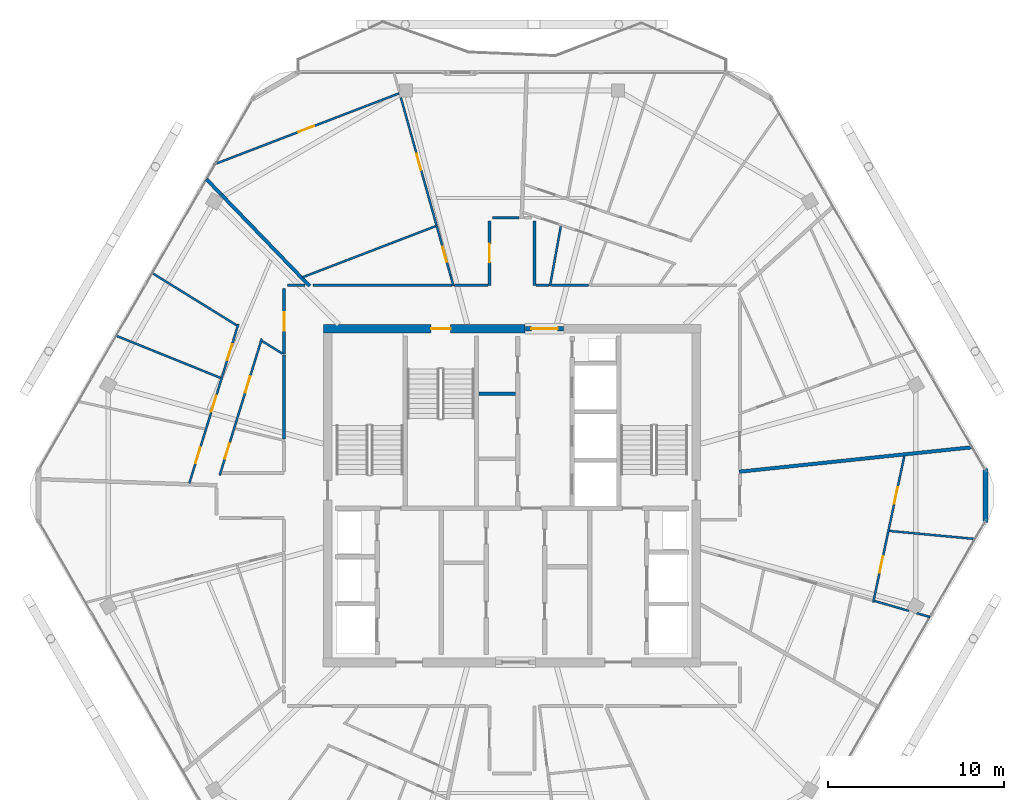
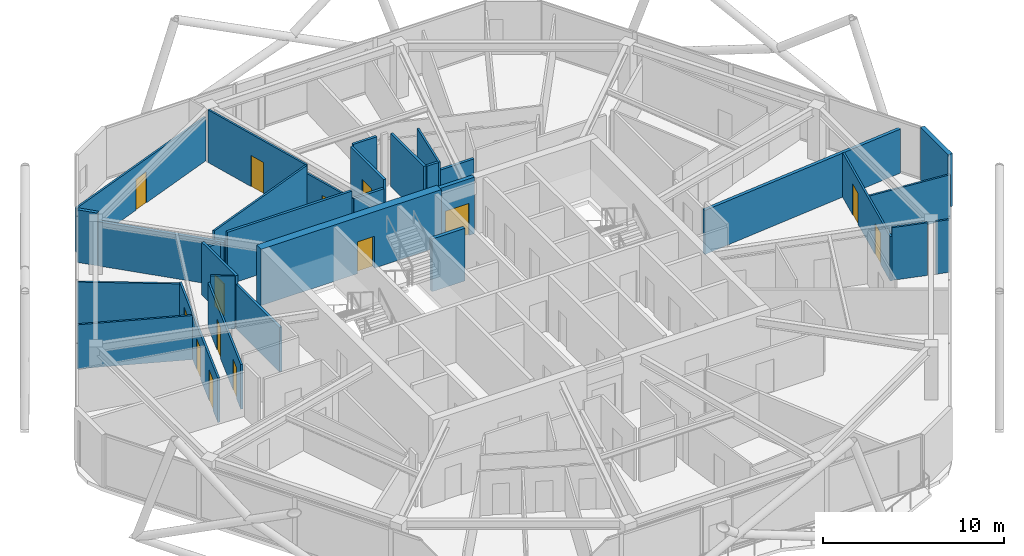
# One storey, part 19 of 23: 32 walls, 14 doors, 14 openings.
"""IFC4 building model written with IfcOpenShell, lengths in metres."""

import ifcopenshell
import ifcopenshell.guid

model = None  # the IFC model being written
_history = None  # IfcOwnerHistory: only IFC2X3 demands one
_inside = {}  # id of a spatial element -> (the spatial element, [elements in it])
_under = {}  # id of a project, library or spatial element -> (it, [spatial elements below it])
_declared = {}  # id of a project -> (the project, [libraries it declares])
_typed = {}  # id of a type object -> (the type object, [elements of that type])
_made_of = {}  # id of a material, layer set ... -> (it, [elements and type objects made of it])


def new_model(schema):
    """Start an empty IFC model of exactly this schema.

    Asked for "IFC4X3", IfcOpenShell would pick the latest addendum, in which some entities
    have other attributes; the version numbers below select the first issue.
    IFC2X3 requires an IfcOwnerHistory on every rooted entity: one is made here for all.
    """
    global model, _history
    if schema == "IFC4X3":
        model = ifcopenshell.file(schema_version=(4, 3, 0, 0))
    else:
        model = ifcopenshell.file(schema=schema)
    _inside.clear()
    _under.clear()
    _declared.clear()
    _typed.clear()
    _made_of.clear()
    _history = None
    if model.schema == "IFC2X3":
        org = make("IfcOrganization", Name="unknown")
        user = make(
            "IfcPersonAndOrganization",
            ThePerson=make("IfcPerson", FamilyName="unknown"),
            TheOrganization=org,
        )
        app = make(
            "IfcApplication",
            ApplicationDeveloper=org,
            Version="unknown",
            ApplicationFullName="unknown",
            ApplicationIdentifier="unknown",
        )
        _history = make(
            "IfcOwnerHistory",
            OwningUser=user,
            OwningApplication=app,
            ChangeAction="ADDED",
            CreationDate=0,
        )
    return model


def make(cls, **values):
    """One entity of the class cls with the attributes given. An attribute that is None is left unset."""
    return model.create_entity(
        cls, **{name: value for name, value in values.items() if value is not None}
    )


def rooted(cls, **values):
    """An entity with a GlobalId (a new one), such as an element, a storey or a relation."""
    return make(cls, GlobalId=ifcopenshell.guid.new(), OwnerHistory=_history, **values)


def si_unit(unit_type, name, prefix=None):
    """IfcSIUnit, for example si_unit("LENGTHUNIT", "METRE", prefix="MILLI")."""
    return make("IfcSIUnit", UnitType=unit_type, Prefix=prefix, Name=name)


def assignment(units):
    """IfcUnitAssignment: the units of a project."""
    return None if units is None else make("IfcUnitAssignment", Units=units)


def point(xyz):
    """IfcCartesianPoint."""
    return None if xyz is None else make("IfcCartesianPoint", Coordinates=xyz)


def direction(xyz):
    """IfcDirection."""
    return None if xyz is None else make("IfcDirection", DirectionRatios=xyz)


def frame(location, z_axis=None, x_axis=None):
    """IfcAxis2Placement3D, a coordinate frame: its origin and axes. An axis left out is left unset."""
    return make(
        "IfcAxis2Placement3D",
        Location=point(location),
        Axis=direction(z_axis),
        RefDirection=direction(x_axis),
    )


def frame_2d(location, x_axis=None):
    """IfcAxis2Placement2D, a coordinate frame in the plane: its origin and x axis."""
    return make(
        "IfcAxis2Placement2D", Location=point(location), RefDirection=direction(x_axis)
    )


def origin():
    """The frame at (0, 0, 0) with its axes left unset."""
    return frame((0.0, 0.0, 0.0))


def place(relative_to, where):
    """IfcLocalPlacement: puts the frame where relative to a parent placement (None: the world)."""
    return make(
        "IfcLocalPlacement", PlacementRelTo=relative_to, RelativePlacement=where
    )


def context(
    kind, dimensions, precision=None, world=None, true_north=None, identifier=None
):
    """IfcGeometricRepresentationContext, for example the 3D "Model" context."""
    return make(
        "IfcGeometricRepresentationContext",
        ContextIdentifier=identifier,
        ContextType=kind,
        CoordinateSpaceDimension=dimensions,
        Precision=precision,
        WorldCoordinateSystem=world,
        TrueNorth=true_north,
    )


def subcontext(parent, identifier, kind, view, scale=None):
    """IfcGeometricRepresentationSubContext, for example "Body" below "Model"."""
    return make(
        "IfcGeometricRepresentationSubContext",
        ContextIdentifier=identifier,
        ContextType=kind,
        ParentContext=parent,
        TargetScale=scale,
        TargetView=view,
    )


def project(units=None, contexts=None):
    """IfcProject with its units and contexts."""
    return rooted(
        "IfcProject",
        Name="project",
        RepresentationContexts=contexts,
        UnitsInContext=assignment(units),
    )


def spatial(cls, under=None, at=None, **own):
    """A site, building, storey or space (cls), placed at a placement, below another one or the project."""
    s = rooted(cls, ObjectPlacement=at, **own)
    if under is not None:
        _under.setdefault(under.id(), (under, []))[1].append(s)
    return s


def profile(cls, at=None, kind="AREA", **sizes):
    """A parametric profile (cls). Its sizes go by their IFC names, for example OverallWidth=200.0."""
    return make(cls, ProfileType=kind, Position=at, **sizes)


def rectangle(**sizes):
    """IfcRectangleProfileDef."""
    return profile("IfcRectangleProfileDef", **sizes)


def extrude(swept, where, along, depth):
    """IfcExtrudedAreaSolid: the profile swept, set in the frame where, extruded along a direction by depth."""
    return make(
        "IfcExtrudedAreaSolid",
        SweptArea=swept,
        Position=where,
        ExtrudedDirection=direction(along),
        Depth=depth,
    )


def shape(context_of_items, identifier, shape_type, items):
    """IfcShapeRepresentation: the items that make up one representation, for example the "Body"."""
    return make(
        "IfcShapeRepresentation",
        ContextOfItems=context_of_items,
        RepresentationIdentifier=identifier,
        RepresentationType=shape_type,
        Items=items,
    )


def material(Name=None, Category=None):
    """IfcMaterial."""
    return make("IfcMaterial", Name=Name, Category=Category)


def layer(
    of_material, thickness, ventilated=None, Name=None, Category=None, Priority=None
):
    """IfcMaterialLayer: one layer of a wall or slab, of a material (None: an air gap)."""
    return make(
        "IfcMaterialLayer",
        Material=of_material,
        LayerThickness=thickness,
        IsVentilated=ventilated,
        Name=Name,
        Category=Category,
        Priority=Priority,
    )


def layer_set(layers, Name=None):
    """IfcMaterialLayerSet."""
    return make("IfcMaterialLayerSet", MaterialLayers=layers, LayerSetName=Name)


def made_of(thing, what):
    """Note that an element or type object is made of a material, layer set ...; save() writes the relation."""
    if what is not None:
        _made_of.setdefault(what.id(), (what, []))[1].append(thing)
    return thing


def type_object(cls, material=None, **own):
    """A type object (cls), such as IfcWallType, which elements share."""
    return made_of(rooted(cls, **own), material)


def element(
    cls,
    number,
    at=None,
    inside=None,
    cuts=None,
    type_object=None,
    material=None,
    context=None,
    identifier="Body",
    shape_type=None,
    held_by="IfcProductDefinitionShape",
    body=None,
    shapes=None,
    **own,
):
    """One element of the class cls, such as IfcWall. Its Tag is "e" and its number.

    at: its placement. inside: the storey or other place that contains it. cuts: it is an
    opening in that element (IfcRelVoidsElement). A single representation is given by context,
    identifier, shape_type and body (its items); several are given by shapes. held_by: the class
    of the entity that holds the representations. save() writes the other relations.
    """
    e = rooted(cls, Tag="e%d" % number, ObjectPlacement=at, **own)
    if body is not None:
        shapes = [shape(context, identifier, shape_type, body)]
    if shapes is not None:
        e.Representation = make(held_by, Representations=shapes)
    if inside is not None:
        _inside.setdefault(inside.id(), (inside, []))[1].append(e)
    if cuts is not None:
        rooted(
            "IfcRelVoidsElement", RelatingBuildingElement=cuts, RelatedOpeningElement=e
        )
    if type_object is not None:
        _typed.setdefault(type_object.id(), (type_object, []))[1].append(e)
    return made_of(e, material)


def fill(opening, filler):
    """IfcRelFillsElement: the door or window that sits in an opening."""
    return rooted(
        "IfcRelFillsElement",
        RelatingOpeningElement=opening,
        RelatedBuildingElement=filler,
    )


def aggregate(whole, parts):
    """IfcRelAggregates: a whole, such as a stair, and the parts it consists of."""
    return rooted("IfcRelAggregates", RelatingObject=whole, RelatedObjects=parts)


def save(model, path):
    """Write the relations noted so far, then the file.

    IfcRelAggregates (storeys below a building ...), IfcRelContainedInSpatialStructure (elements
    in a storey), IfcRelDefinesByType, IfcRelAssociatesMaterial and IfcRelDeclares: one each for
    every whole, place, type object, material and project.
    """
    for whole, parts in _under.values():
        aggregate(whole, parts)
    for where, things in _inside.values():
        rooted(
            "IfcRelContainedInSpatialStructure",
            RelatedElements=things,
            RelatingStructure=where,
        )
    for kind, things in _typed.values():
        rooted("IfcRelDefinesByType", RelatedObjects=things, RelatingType=kind)
    for what, things in _made_of.values():
        rooted("IfcRelAssociatesMaterial", RelatedObjects=things, RelatingMaterial=what)
    for by, libraries in _declared.values():
        rooted("IfcRelDeclares", RelatingContext=by, RelatedDefinitions=libraries)
    model.write(path)


model = new_model("IFC4")

# Units and contexts
model_context = context("Model", 3, precision=1e-05, world=origin(), true_north=direction((0.0, 1.0)))
body_context = subcontext(model_context, "Body", "Model", "MODEL_VIEW")
ifc_project = project(units=[si_unit("LENGTHUNIT", "METRE"), si_unit("AREAUNIT", "SQUARE_METRE"), si_unit("VOLUMEUNIT", "CUBIC_METRE"), si_unit("PLANEANGLEUNIT", "RADIAN"), si_unit("MASSUNIT", "GRAM", prefix="KILO")], contexts=[model_context])

# Site, building, storey
site_placement = place(None, origin())
site = spatial("IfcSite", under=ifc_project, at=site_placement, CompositionType="ELEMENT")
building_placement = place(site_placement, origin())
building = spatial("IfcBuilding", under=site, at=building_placement, Name="Zuhravey Tower", CompositionType="ELEMENT")
storey_placement = place(building_placement, frame((0.0, 0.0, 346.199951171875)))
storey = spatial("IfcBuildingStorey", under=building, at=storey_placement, Name="L88", CompositionType="ELEMENT", Elevation=346.199951171875)

# Wall, opening, door
ifc_material_1 = material(Name="Concrete C50/60", Category="concrete")
ifc_layer_1 = layer(ifc_material_1, 0.5)
ifc_layer_set_1 = layer_set([ifc_layer_1], Name="Concrete C50/60")
wall_type_1 = type_object("IfcWallType", Name="Core Shear Wall 500", PredefinedType="SHEAR", material=ifc_layer_set_1)
wall_1_placement = place(storey_placement, frame((36.75, 41.5, 0.0), z_axis=(0.0, 0.0, 1.0), x_axis=(-1.0, 0.0, 0.0)))
wall_1 = element("IfcWall", 1, at=wall_1_placement, inside=storey, type_object=wall_type_1, Name="L88 North-West Core Shear Wall CW50", PredefinedType="SHEAR", context=body_context, shape_type="SweptSolid", body=[
    extrude(rectangle(XDim=11.5, YDim=0.5, at=frame_2d((5.75, 0.0))), origin(), (0.0, 0.0, 1.0), 3.800048828125),
])
opening_1_placement = place(wall_1_placement, frame((4.25, 0.0, 0.0)))
opening_1 = element("IfcOpeningElement", 2, at=opening_1_placement, cuts=wall_1, Name="Opening STD1", PredefinedType="OPENING", context=body_context, shape_type="SweptSolid", body=[
    extrude(rectangle(XDim=1.10009765625, YDim=2.14990234375, at=frame_2d((0.550048828125, 1.074951171875))), frame((0.0, 0.261962890625, 0.0), z_axis=(0.0, -1.0, 0.0), x_axis=(1.0, 0.0, 0.0)), (0.0, 0.0, 1.0), 0.52392578125),
])
ifc_material_2 = material(Name="Galvanised fire-rated steel leaf", Category="steel")
door_type_1 = type_object("IfcDoorType", Name="Protected Stair Fire Door 1100x2150", OperationType="NOTDEFINED", PredefinedType="USERDEFINED", material=ifc_material_2)
door_1_placement = place(opening_1_placement, origin())
door_1 = element("IfcDoor", 3, at=door_1_placement, inside=storey, type_object=door_type_1, Name="L88 Stair ST3 Door", ObjectType="EXITDOOR", OperationType="SINGLE_SWING_RIGHT", OverallHeight=2.14990234375, OverallWidth=1.10009765625, PredefinedType="USERDEFINED", context=body_context, shape_type="SweptSolid", body=[
    extrude(rectangle(XDim=1.10009765625, YDim=2.14990234375, at=frame_2d((0.550048828125, 1.074951171875))), frame((0.0, 0.02490234375, 0.0), z_axis=(0.0, -1.0, 0.0), x_axis=(1.0, 0.0, 0.0)), (0.0, 0.0, 1.0), 0.050048828125),
])
fill(opening_1, door_1)

ifc_material_3 = material(Name="Gypsum fire-rated stud partition")
ifc_layer_2 = layer(ifc_material_3, 0.159912109375)
ifc_layer_set_2 = layer_set([ifc_layer_2], Name="Gypsum fire-rated stud partition")
wall_type_2 = type_object("IfcWallType", Name="Corridor Fire Partition 160", PredefinedType="PARTITIONING", material=ifc_layer_set_2)
wall_2_placement = place(storey_placement, frame((34.719970703125, 47.64990234375, 0.0), z_axis=(0.0, 0.0, 1.0), x_axis=(0.0, -1.0, 0.0)))
wall_2 = element("IfcWall", 4, at=wall_2_placement, inside=storey, type_object=wall_type_2, Name="L88 IW16 Partition 026", PredefinedType="PARTITIONING", context=body_context, shape_type="SweptSolid", body=[
    extrude(rectangle(XDim=3.669921875, YDim=0.159912109375, at=frame_2d((1.8349609375, 0.0))), origin(), (0.0, 0.0, 1.0), 3.550048828125),
])
opening_2_placement = place(wall_2_placement, frame((1.31005859375, 0.0, 0.0)))
opening_2 = element("IfcOpeningElement", 5, at=opening_2_placement, cuts=wall_2, Name="Opening APD1", PredefinedType="OPENING", context=body_context, shape_type="SweptSolid", body=[
    extrude(rectangle(XDim=1.050048828125, YDim=2.14990234375, at=frame_2d((0.52490234375, 1.074951171875))), frame((0.0, 0.092041015625, 0.0), z_axis=(0.0, -1.0, 0.0), x_axis=(1.0, 0.0, 0.0)), (0.0, 0.0, 1.0), 0.183837890625),
])
ifc_material_4 = material(Name="Solid-core oak fire-rated leaf")
door_type_2 = type_object("IfcDoorType", Name="Apartment Entrance Fire Door 1050x2150", OperationType="NOTDEFINED", PredefinedType="DOOR", material=ifc_material_4)
door_2_placement = place(opening_2_placement, frame((1.050048828125, 0.0, 0.0), z_axis=(0.0, 0.0, 1.0), x_axis=(-1.0, 0.0, 0.0)))
door_2 = element("IfcDoor", 6, at=door_2_placement, inside=storey, type_object=door_type_2, Name="L88 Door 026.1", OperationType="SINGLE_SWING_RIGHT", OverallHeight=2.14990234375, OverallWidth=1.050048828125, PredefinedType="DOOR", context=body_context, shape_type="SweptSolid", body=[
    extrude(rectangle(XDim=1.050048828125, YDim=2.14990234375, at=frame_2d((0.52490234375, 1.074951171875))), frame((0.0, 0.02490234375, 0.0), z_axis=(0.0, -1.0, 0.0), x_axis=(1.0, 0.0, 0.0)), (0.0, 0.0, 1.0), 0.050048828125),
])
fill(opening_2, door_2)

wall_3_placement = place(storey_placement, frame((23.02001953125, 43.79931640625, 0.0), z_axis=(0.0, 0.0, 1.0), x_axis=(0.0, -1.0, 0.0)))
wall_3 = element("IfcWall", 7, at=wall_3_placement, inside=storey, type_object=wall_type_2, Name="L88 IW16 Partition 029", PredefinedType="PARTITIONING", context=body_context, shape_type="SweptSolid", body=[
    extrude(rectangle(XDim=3.74658203125, YDim=0.159912109375, at=frame_2d((1.873291015625, 0.0))), origin(), (0.0, 0.0, 1.0), 3.550048828125),
])
opening_3_placement = place(wall_3_placement, frame((1.348388671875, 0.0, 0.0)))
opening_3 = element("IfcOpeningElement", 8, at=opening_3_placement, cuts=wall_3, Name="Opening APD1", PredefinedType="OPENING", context=body_context, shape_type="SweptSolid", body=[
    extrude(rectangle(XDim=1.050048828125, YDim=2.14990234375, at=frame_2d((0.52490234375, 1.074951171875))), frame((0.0, 0.092041015625, 0.0), z_axis=(0.0, -1.0, 0.0), x_axis=(1.0, 0.0, 0.0)), (0.0, 0.0, 1.0), 0.183837890625),
])
door_3_placement = place(opening_3_placement, frame((1.050048828125, 0.0, 0.0), z_axis=(0.0, 0.0, 1.0), x_axis=(-1.0, 0.0, 0.0)))
door_3 = element("IfcDoor", 9, at=door_3_placement, inside=storey, type_object=door_type_2, Name="L88 Door 029.1", OperationType="SINGLE_SWING_RIGHT", OverallHeight=2.14990234375, OverallWidth=1.050048828125, PredefinedType="DOOR", context=body_context, shape_type="SweptSolid", body=[
    extrude(rectangle(XDim=1.050048828125, YDim=2.14990234375, at=frame_2d((0.52490234375, 1.074951171875))), frame((0.0, 0.02490234375, 0.0), z_axis=(0.0, -1.0, 0.0), x_axis=(1.0, 0.0, 0.0)), (0.0, 0.0, 1.0), 0.050048828125),
])
fill(opening_3, door_3)

# Walls
wall_4_placement = place(storey_placement, frame((40.36376953125, 43.97998046875, 0.0), z_axis=(0.0, 0.0, 1.0), x_axis=(-1.0, 0.0, 0.0)))
element("IfcWall", 10, at=wall_4_placement, inside=storey, type_object=wall_type_2, Name="L88 IW16 Partition 102", PredefinedType="PARTITIONING", context=body_context, shape_type="SweptSolid", body=[
    extrude(rectangle(XDim=2.12255859375, YDim=0.159912109375, at=frame_2d((1.061279296875, 0.0))), origin(), (0.0, 0.0, 1.0), 3.0),
])
wall_5_placement = place(storey_placement, frame((37.280029296875, 43.97998046875, 0.0), z_axis=(0.0, 0.0, 1.0), x_axis=(0.0, 1.0, 0.0)))
element("IfcWall", 11, at=wall_5_placement, inside=storey, type_object=wall_type_2, Name="L88 IW16 Partition 103", PredefinedType="PARTITIONING", context=body_context, shape_type="SweptSolid", body=[
    extrude(rectangle(XDim=3.669921875, YDim=0.159912109375, at=frame_2d((1.8349609375, 0.0))), origin(), (0.0, 0.0, 1.0), 3.550048828125),
])
wall_6_placement = place(storey_placement, frame((38.102783203125, 43.97998046875, 0.0), z_axis=(0.0, 0.0, 1.0), x_axis=(-1.0, 0.0, 0.0)))
element("IfcWall", 12, at=wall_6_placement, inside=storey, type_object=wall_type_2, Name="L88 IW16 Partition 104", PredefinedType="PARTITIONING", context=body_context, shape_type="SweptSolid", body=[
    extrude(rectangle(XDim=0.73486328125, YDim=0.159912109375, at=frame_2d((0.367431640625, 0.0))), origin(), (0.0, 0.0, 1.0), 3.550048828125),
])
wall_7_placement = place(storey_placement, frame((34.632080078125, 43.97998046875, 0.0), z_axis=(0.0, 0.0, 1.0), x_axis=(-1.0, 0.0, 0.0)))
element("IfcWall", 13, at=wall_7_placement, inside=storey, type_object=wall_type_2, Name="L88 IW16 Partition 106", PredefinedType="PARTITIONING", context=body_context, shape_type="SweptSolid", body=[
    extrude(rectangle(XDim=1.906494140625, YDim=0.159912109375, at=frame_2d((0.953125, 0.0))), origin(), (0.0, 0.0, 1.0), 3.0),
])
wall_8_placement = place(storey_placement, frame((36.39453125, 47.830078125, 0.0), z_axis=(0.0, 0.0, 1.0), x_axis=(-1.0, 0.0, 0.0)))
element("IfcWall", 14, at=wall_8_placement, inside=storey, type_object=wall_type_2, Name="L88 IW16 Partition 107", PredefinedType="PARTITIONING", context=body_context, shape_type="SweptSolid", body=[
    extrude(rectangle(XDim=1.49462890625, YDim=0.159912109375, at=frame_2d((0.747314453125, 0.0))), origin(), (0.0, 0.0, 1.0), 3.550048828125),
])
wall_9_placement = place(storey_placement, frame((32.58447265625, 43.97998046875, 0.0), z_axis=(0.0, 0.0, 1.0), x_axis=(-1.0, 0.0, 0.0)))
element("IfcWall", 15, at=wall_9_placement, inside=storey, type_object=wall_type_2, Name="L88 IW16 Partition 108", PredefinedType="PARTITIONING", context=body_context, shape_type="SweptSolid", body=[
    extrude(rectangle(XDim=7.925537109375, YDim=0.159912109375, at=frame_2d((3.962890625, 0.0))), origin(), (0.0, 0.0, 1.0), 3.550048828125),
])
wall_10_placement = place(storey_placement, frame((24.19921875, 43.97998046875, 0.0), z_axis=(0.0, 0.0, 1.0), x_axis=(-1.0, 0.0, 0.0)))
element("IfcWall", 16, at=wall_10_placement, inside=storey, type_object=wall_type_2, Name="L88 IW16 Partition 109", PredefinedType="PARTITIONING", context=body_context, shape_type="SweptSolid", body=[
    extrude(rectangle(XDim=0.99853515625, YDim=0.159912109375, at=frame_2d((0.499267578125, 0.0))), origin(), (0.0, 0.0, 1.0), 3.0),
])
wall_11_placement = place(storey_placement, frame((23.02001953125, 40.005615234375, 0.0), z_axis=(0.0, 0.0, 1.0), x_axis=(0.0, -1.0, 0.0)))
element("IfcWall", 17, at=wall_11_placement, inside=storey, type_object=wall_type_2, Name="L88 IW16 Partition 110", PredefinedType="PARTITIONING", context=body_context, shape_type="SweptSolid", body=[
    extrude(rectangle(XDim=4.792724609375, YDim=0.159912109375, at=frame_2d((2.396484375, 0.0))), origin(), (0.0, 0.0, 1.0), 3.0),
])
ifc_material_5 = material(Name="Precast concrete C40/50", Category="concrete")
ifc_layer_3 = layer(ifc_material_5, 0.280029296875)
ifc_layer_set_3 = layer_set([ifc_layer_3], Name="Precast concrete C40/50")
wall_type_3 = type_object("IfcWallType", Name="Crown Architectural Wall 280", PredefinedType="SOLIDWALL", material=ifc_layer_set_3)
wall_12_placement = place(storey_placement, frame((62.968505859375, 33.532470703125, 0.0), z_axis=(0.0, 0.0, 1.0), x_axis=(0.0, -1.0, 0.0)))
element("IfcWall", 18, at=wall_12_placement, inside=storey, type_object=wall_type_3, Name="L88 Rounded Corner Closure Wall EW28-12", PredefinedType="SOLIDWALL", context=body_context, shape_type="SweptSolid", body=[
    extrude(rectangle(XDim=3.06494140625, YDim=0.280029296875, at=frame_2d((1.532470703125, 0.0))), origin(), (0.0, 0.0, 1.0), 3.550048828125),
])

# Wall, opening, door
ifc_layer_4 = layer(ifc_material_1, 0.25)
ifc_layer_set_4 = layer_set([ifc_layer_4], Name="Concrete C50/60")
wall_type_4 = type_object("IfcWallType", Name="Firefighting Shaft & Stair Wall 250", PredefinedType="SOLIDWALL", material=ifc_layer_set_4)
wall_13_placement = place(storey_placement, frame((36.760009765625, 41.5, 0.0), z_axis=(0.0, 0.0, 1.0), x_axis=(1.0, 0.0, 0.0)))
wall_13 = element("IfcWall", 19, at=wall_13_placement, inside=storey, type_object=wall_type_4, Name="L88 FW25 Shaft Wall 002", PredefinedType="SOLIDWALL", context=body_context, shape_type="SweptSolid", body=[
    extrude(rectangle(XDim=2.179931640625, YDim=0.25, at=frame_2d((1.08984375, 0.0))), origin(), (0.0, 0.0, 1.0), 3.800048828125),
])
opening_4_placement = place(wall_13_placement, frame((0.340087890625, 0.0, 0.0)))
opening_4 = element("IfcOpeningElement", 20, at=opening_4_placement, cuts=wall_13, Name="Opening FFD1", PredefinedType="OPENING", context=body_context, shape_type="SweptSolid", body=[
    extrude(rectangle(XDim=1.5, YDim=2.14990234375, at=frame_2d((0.75, 1.074951171875))), frame((0.0, 0.136962890625, 0.0), z_axis=(0.0, -1.0, 0.0), x_axis=(1.0, 0.0, 0.0)), (0.0, 0.0, 1.0), 0.27392578125),
])
door_type_3 = type_object("IfcDoorType", Name="Firefighting Lobby Double Door 1500x2150", OperationType="DOUBLE_DOOR_SINGLE_SWING", PredefinedType="DOOR", material=ifc_material_2)
door_4_placement = place(opening_4_placement, origin())
door_4 = element("IfcDoor", 21, at=door_4_placement, inside=storey, type_object=door_type_3, Name="L88 North Lift Lobby Exit Door", OperationType="DOUBLE_DOOR_SINGLE_SWING", OverallHeight=2.14990234375, OverallWidth=1.5, PredefinedType="DOOR", context=body_context, shape_type="SweptSolid", body=[
    extrude(rectangle(XDim=1.5, YDim=2.14990234375, at=frame_2d((0.75, 1.074951171875))), frame((0.0, 0.02490234375, 0.0), z_axis=(0.0, -1.0, 0.0), x_axis=(1.0, 0.0, 0.0)), (0.0, 0.0, 1.0), 0.050048828125),
])
fill(opening_4, door_4)

# Walls
ifc_material_6 = material(Name="Gypsum double-stud party assembly")
ifc_layer_5 = layer(ifc_material_6, 0.199951171875)
ifc_layer_set_5 = layer_set([ifc_layer_5], Name="Gypsum double-stud party assembly")
wall_type_5 = type_object("IfcWallType", Name="Inter-Tenancy Party Wall 200", PredefinedType="PARTITIONING", material=ifc_layer_set_5)
wall_14_placement = place(storey_placement, frame((24.4697265625, 43.93994140625, 0.0), z_axis=(0.0, 0.0, 1.0), x_axis=(-0.694657696383, 0.719340451286, 0.0)))
element("IfcWall", 22, at=wall_14_placement, inside=storey, type_object=wall_type_5, Name="L88 IW20 Partition 069", PredefinedType="PARTITIONING", context=body_context, shape_type="SweptSolid", body=[
    extrude(rectangle(XDim=7.240234375, YDim=0.199951171875, at=frame_2d((3.6201171875, 0.0))), origin(), (0.0, 0.0, 1.0), 2.969970703125),
])
wall_15_placement = place(storey_placement, frame((19.43212890625, 49.156494140625, 0.0), z_axis=(0.0, 0.0, 1.0), x_axis=(-0.694627356025, 0.719369749337, 0.0)))
element("IfcWall", 23, at=wall_15_placement, inside=storey, type_object=wall_type_5, Name="L88 IW20 Partition 070", PredefinedType="PARTITIONING", context=body_context, shape_type="SweptSolid", body=[
    extrude(rectangle(XDim=1.19384765625, YDim=0.199951171875, at=frame_2d((0.596923828125, 0.0))), origin(), (0.0, 0.0, 1.0), 3.550048828125),
])
wall_16_placement = place(storey_placement, frame((48.93994140625, 33.360107421875, 0.0), z_axis=(0.0, 0.0, 1.0), x_axis=(0.994521885418, 0.104528557935, 0.0)))
element("IfcWall", 24, at=wall_16_placement, inside=storey, type_object=wall_type_5, Name="L88 IW20 Partition 097", PredefinedType="PARTITIONING", context=body_context, shape_type="SweptSolid", body=[
    extrude(rectangle(XDim=13.341064453125, YDim=0.199951171875, at=frame_2d((6.67041015625, 0.0))), origin(), (0.0, 0.0, 1.0), 2.969970703125),
])
ifc_material_7 = material(Name="Gypsum acoustic stud assembly")
ifc_layer_6 = layer(ifc_material_7, 0.219970703125)
ifc_layer_set_6 = layer_set([ifc_layer_6], Name="Gypsum acoustic stud assembly")
wall_type_6 = type_object("IfcWallType", Name="School Acoustic Compartment Wall 220", PredefinedType="PARTITIONING", material=ifc_layer_set_6)
wall_17_placement = place(storey_placement, frame((34.10791015625, 37.800048828125, 0.0), z_axis=(0.0, 0.0, 1.0), x_axis=(1.0, 0.0, 0.0)))
element("IfcWall", 25, at=wall_17_placement, inside=storey, type_object=wall_type_6, Name="L88 IW22 Partition 052", PredefinedType="PARTITIONING", context=body_context, shape_type="SweptSolid", body=[
    extrude(rectangle(XDim=2.083984375, YDim=0.219970703125, at=frame_2d((1.0419921875, 0.0))), origin(), (0.0, 0.0, 1.0), 3.550048828125),
])

# Wall, opening, door
ifc_material_8 = material(Name="Gypsum metal-stud partition")
ifc_layer_7 = layer(ifc_material_8, 0.1201171875)
ifc_layer_set_7 = layer_set([ifc_layer_7], Name="Gypsum metal-stud partition")
wall_type_7 = type_object("IfcWallType", Name="Unit Internal Partition 120", PredefinedType="PARTITIONING", material=ifc_layer_set_7)
wall_18_placement = place(storey_placement, frame((32.49609375, 44.550048828125, 0.0), z_axis=(0.0, 0.0, 1.0), x_axis=(-0.268945369645, 0.963155433015, 0.0)))
wall_18 = element("IfcWall", 26, at=wall_18_placement, inside=storey, type_object=wall_type_7, Name="L88 IW12 Partition 023", PredefinedType="PARTITIONING", context=body_context, shape_type="SweptSolid", body=[
    extrude(rectangle(XDim=2.9501953125, YDim=0.1201171875, at=frame_2d((1.47509765625, 0.0))), origin(), (0.0, 0.0, 1.0), 3.0),
])
opening_5_placement = place(wall_18_placement, frame((0.789306640625, 0.0, 0.0)))
opening_5 = element("IfcOpeningElement", 27, at=opening_5_placement, cuts=wall_18, Name="Opening WCD1", PredefinedType="OPENING", context=body_context, shape_type="SweptSolid", body=[
    extrude(rectangle(XDim=0.89990234375, YDim=2.10009765625, at=frame_2d((0.449951171875, 1.050048828125))), frame((0.0, 0.072021484375, 0.0), z_axis=(0.0, -1.0, 0.0), x_axis=(1.0, 0.0, 0.0)), (0.0, 0.0, 1.0), 0.14404296875),
])
ifc_material_9 = material(Name="Moisture-resistant timber leaf", Category="wood")
door_type_4 = type_object("IfcDoorType", Name="Bathroom & WC Internal Door 900x2100", OperationType="NOTDEFINED", PredefinedType="DOOR", material=ifc_material_9)
door_5_placement = place(opening_5_placement, origin())
door_5 = element("IfcDoor", 28, at=door_5_placement, inside=storey, type_object=door_type_4, Name="Apartment L88-02 Bathroom Door", OperationType="SINGLE_SWING_LEFT", OverallHeight=2.10009765625, OverallWidth=0.89990234375, PredefinedType="DOOR", context=body_context, shape_type="SweptSolid", body=[
    extrude(rectangle(XDim=0.89990234375, YDim=2.10009765625, at=frame_2d((0.449951171875, 1.050048828125))), frame((0.0, 0.02490234375, 0.0), z_axis=(0.0, -1.0, 0.0), x_axis=(1.0, 0.0, 0.0)), (0.0, 0.0, 1.0), 0.050048828125),
])
fill(opening_5, door_5)

wall_19_placement = place(storey_placement, frame((31.702392578125, 47.3916015625, 0.0), z_axis=(0.0, 0.0, 1.0), x_axis=(-0.268895171006, 0.963169448752, 0.0)))
wall_19 = element("IfcWall", 29, at=wall_19_placement, inside=storey, type_object=wall_type_7, Name="L88 IW12 Partition 024", PredefinedType="PARTITIONING", context=body_context, shape_type="SweptSolid", body=[
    extrude(rectangle(XDim=7.555908203125, YDim=0.1201171875, at=frame_2d((3.77783203125, 0.0))), origin(), (0.0, 0.0, 1.0), 3.550048828125),
])
opening_6_placement = place(wall_19_placement, frame((3.27783203125, 0.0, 0.0)))
opening_6 = element("IfcOpeningElement", 30, at=opening_6_placement, cuts=wall_19, Name="Opening IND1", PredefinedType="OPENING", context=body_context, shape_type="SweptSolid", body=[
    extrude(rectangle(XDim=0.949951171875, YDim=2.10009765625, at=frame_2d((0.47509765625, 1.050048828125))), frame((0.0, 0.072021484375, 0.0), z_axis=(0.0, -1.0, 0.0), x_axis=(1.0, 0.0, 0.0)), (0.0, 0.0, 1.0), 0.14404296875),
])
ifc_material_10 = material(Name="Painted engineered timber leaf", Category="wood")
door_type_5 = type_object("IfcDoorType", Name="Internal Room & Bedroom Door 950x2100", OperationType="NOTDEFINED", PredefinedType="DOOR", material=ifc_material_10)
door_6_placement = place(opening_6_placement, origin())
door_6 = element("IfcDoor", 31, at=door_6_placement, inside=storey, type_object=door_type_5, Name="Apartment L88-02 Home Office Door", OperationType="SINGLE_SWING_RIGHT", OverallHeight=2.10009765625, OverallWidth=0.949951171875, PredefinedType="DOOR", context=body_context, shape_type="SweptSolid", body=[
    extrude(rectangle(XDim=0.949951171875, YDim=2.10009765625, at=frame_2d((0.47509765625, 1.050048828125))), frame((0.0, 0.02490234375, 0.0), z_axis=(0.0, -1.0, 0.0), x_axis=(1.0, 0.0, 0.0)), (0.0, 0.0, 1.0), 0.050048828125),
])
fill(opening_6, door_6)

wall_20_placement = place(storey_placement, frame((29.56640625, 54.908203125, 0.0), z_axis=(0.0, 0.0, 1.0), x_axis=(-0.933585379148, -0.358355047184, 0.0)))
wall_20 = element("IfcWall", 32, at=wall_20_placement, inside=storey, type_object=wall_type_7, Name="L88 IW12 Partition 025", PredefinedType="PARTITIONING", context=body_context, shape_type="SweptSolid", body=[
    extrude(rectangle(XDim=11.326904296875, YDim=0.1201171875, at=frame_2d((5.66357421875, 0.0))), origin(), (0.0, 0.0, 1.0), 2.969970703125),
])
opening_7_placement = place(wall_20_placement, frame((5.1884765625, 0.0, 0.0)))
opening_7 = element("IfcOpeningElement", 33, at=opening_7_placement, cuts=wall_20, Name="Opening IND1", PredefinedType="OPENING", context=body_context, shape_type="SweptSolid", body=[
    extrude(rectangle(XDim=0.949951171875, YDim=2.10009765625, at=frame_2d((0.47509765625, 1.050048828125))), frame((0.0, 0.072021484375, 0.0), z_axis=(0.0, -1.0, 0.0), x_axis=(1.0, 0.0, 0.0)), (0.0, 0.0, 1.0), 0.14404296875),
])
door_7_placement = place(opening_7_placement, frame((0.949951171875, 0.0, 0.0), z_axis=(0.0, 0.0, 1.0), x_axis=(-1.0, 0.0, 0.0)))
door_7 = element("IfcDoor", 34, at=door_7_placement, inside=storey, type_object=door_type_5, Name="Apartment L88-02 Bedroom 1 Door", OperationType="SINGLE_SWING_LEFT", OverallHeight=2.10009765625, OverallWidth=0.949951171875, PredefinedType="DOOR", context=body_context, shape_type="SweptSolid", body=[
    extrude(rectangle(XDim=0.949951171875, YDim=2.10009765625, at=frame_2d((0.47509765625, 1.050048828125))), frame((0.0, 0.02490234375, 0.0), z_axis=(0.0, -1.0, 0.0), x_axis=(1.0, 0.0, 0.0)), (0.0, 0.0, 1.0), 0.050048828125),
])
fill(opening_7, door_7)

# Wall, openings, doors
wall_21_placement = place(storey_placement, frame((21.747802734375, 40.93359375, 0.0), z_axis=(0.0, 0.0, 1.0), x_axis=(-0.294353697783, -0.955696552574, 0.0)))
wall_21 = element("IfcWall", 35, at=wall_21_placement, inside=storey, type_object=wall_type_7, Name="L88 IW12 Partition 027", PredefinedType="PARTITIONING", context=body_context, shape_type="SweptSolid", body=[
    extrude(rectangle(XDim=8.134033203125, YDim=0.1201171875, at=frame_2d((4.06689453125, 0.0))), origin(), (0.0, 0.0, 1.0), 3.0),
])
opening_8_placement = place(wall_21_placement, frame((2.24609375, 0.0, 0.0)))
opening_8 = element("IfcOpeningElement", 36, at=opening_8_placement, cuts=wall_21, Name="Opening IND1", PredefinedType="OPENING", context=body_context, shape_type="SweptSolid", body=[
    extrude(rectangle(XDim=0.949951171875, YDim=2.10009765625, at=frame_2d((0.47509765625, 1.050048828125))), frame((0.0, 0.072021484375, 0.0), z_axis=(0.0, -1.0, 0.0), x_axis=(1.0, 0.0, 0.0)), (0.0, 0.0, 1.0), 0.14404296875),
])
opening_9_placement = place(wall_21_placement, frame((6.23388671875, 0.0, 0.0)))
opening_9 = element("IfcOpeningElement", 37, at=opening_9_placement, cuts=wall_21, Name="Opening WCD1", PredefinedType="OPENING", context=body_context, shape_type="SweptSolid", body=[
    extrude(rectangle(XDim=0.89990234375, YDim=2.10009765625, at=frame_2d((0.449951171875, 1.050048828125))), frame((0.0, 0.072021484375, 0.0), z_axis=(0.0, -1.0, 0.0), x_axis=(1.0, 0.0, 0.0)), (0.0, 0.0, 1.0), 0.14404296875),
])
door_8_placement = place(opening_9_placement, origin())
door_8 = element("IfcDoor", 38, at=door_8_placement, inside=storey, type_object=door_type_4, Name="Apartment L88-03 Bathroom Door", OperationType="SINGLE_SWING_RIGHT", OverallHeight=2.10009765625, OverallWidth=0.89990234375, PredefinedType="DOOR", context=body_context, shape_type="SweptSolid", body=[
    extrude(rectangle(XDim=0.89990234375, YDim=2.10009765625, at=frame_2d((0.449951171875, 1.050048828125))), frame((0.0, 0.02490234375, 0.0), z_axis=(0.0, -1.0, 0.0), x_axis=(1.0, 0.0, 0.0)), (0.0, 0.0, 1.0), 0.050048828125),
])
fill(opening_9, door_8)
door_9_placement = place(opening_8_placement, origin())
door_9 = element("IfcDoor", 39, at=door_9_placement, inside=storey, type_object=door_type_5, Name="Apartment L88-03 Kitchen Door", OperationType="SINGLE_SWING_LEFT", OverallHeight=2.10009765625, OverallWidth=0.949951171875, PredefinedType="DOOR", context=body_context, shape_type="SweptSolid", body=[
    extrude(rectangle(XDim=0.949951171875, YDim=2.10009765625, at=frame_2d((0.47509765625, 1.050048828125))), frame((0.0, 0.02490234375, 0.0), z_axis=(0.0, -1.0, 0.0), x_axis=(1.0, 0.0, 0.0)), (0.0, 0.0, 1.0), 0.050048828125),
])
fill(opening_8, door_9)

wall_22_placement = place(storey_placement, frame((20.411865234375, 41.760009765625, 0.0), z_axis=(0.0, 0.0, 1.0), x_axis=(-0.294382698644, -0.955687619853, 0.0)))
wall_22 = element("IfcWall", 40, at=wall_22_placement, inside=storey, type_object=wall_type_7, Name="L88 IW12 Partition 028", PredefinedType="PARTITIONING", context=body_context, shape_type="SweptSolid", body=[
    extrude(rectangle(XDim=9.4775390625, YDim=0.1201171875, at=frame_2d((4.73876953125, 0.0))), origin(), (0.0, 0.0, 1.0), 3.0),
])
opening_10_placement = place(wall_22_placement, frame((1.186767578125, 0.0, 0.0)))
opening_10 = element("IfcOpeningElement", 41, at=opening_10_placement, cuts=wall_22, Name="Opening IND1", PredefinedType="OPENING", context=body_context, shape_type="SweptSolid", body=[
    extrude(rectangle(XDim=0.949951171875, YDim=2.10009765625, at=frame_2d((0.47509765625, 1.050048828125))), frame((0.0, 0.072021484375, 0.0), z_axis=(0.0, -1.0, 0.0), x_axis=(1.0, 0.0, 0.0)), (0.0, 0.0, 1.0), 0.14404296875),
])
opening_11_placement = place(wall_22_placement, frame((4.263916015625, 0.0, 0.0)))
opening_11 = element("IfcOpeningElement", 42, at=opening_11_placement, cuts=wall_22, Name="Opening IND1", PredefinedType="OPENING", context=body_context, shape_type="SweptSolid", body=[
    extrude(rectangle(XDim=0.949951171875, YDim=2.10009765625, at=frame_2d((0.47509765625, 1.050048828125))), frame((0.0, 0.072021484375, 0.0), z_axis=(0.0, -1.0, 0.0), x_axis=(1.0, 0.0, 0.0)), (0.0, 0.0, 1.0), 0.14404296875),
])
opening_12_placement = place(wall_22_placement, frame((7.3408203125, 0.0, 0.0)))
opening_12 = element("IfcOpeningElement", 43, at=opening_12_placement, cuts=wall_22, Name="Opening IND1", PredefinedType="OPENING", context=body_context, shape_type="SweptSolid", body=[
    extrude(rectangle(XDim=0.949951171875, YDim=2.10009765625, at=frame_2d((0.47509765625, 1.050048828125))), frame((0.0, 0.072021484375, 0.0), z_axis=(0.0, -1.0, 0.0), x_axis=(1.0, 0.0, 0.0)), (0.0, 0.0, 1.0), 0.14404296875),
])
door_10_placement = place(opening_10_placement, frame((0.949951171875, 0.0, 0.0), z_axis=(0.0, 0.0, 1.0), x_axis=(-1.0, 0.0, 0.0)))
door_10 = element("IfcDoor", 44, at=door_10_placement, inside=storey, type_object=door_type_5, Name="Apartment L88-03 Bedroom 1 Door", OperationType="SINGLE_SWING_LEFT", OverallHeight=2.10009765625, OverallWidth=0.949951171875, PredefinedType="DOOR", context=body_context, shape_type="SweptSolid", body=[
    extrude(rectangle(XDim=0.949951171875, YDim=2.10009765625, at=frame_2d((0.47509765625, 1.050048828125))), frame((0.0, 0.02490234375, 0.0), z_axis=(0.0, -1.0, 0.0), x_axis=(1.0, 0.0, 0.0)), (0.0, 0.0, 1.0), 0.050048828125),
])
fill(opening_10, door_10)
door_11_placement = place(opening_11_placement, frame((0.949951171875, 0.0, 0.0), z_axis=(0.0, 0.0, 1.0), x_axis=(-1.0, 0.0, 0.0)))
door_11 = element("IfcDoor", 45, at=door_11_placement, inside=storey, type_object=door_type_5, Name="Apartment L88-03 Bedroom 2 Door", OperationType="SINGLE_SWING_RIGHT", OverallHeight=2.10009765625, OverallWidth=0.949951171875, PredefinedType="DOOR", context=body_context, shape_type="SweptSolid", body=[
    extrude(rectangle(XDim=0.949951171875, YDim=2.10009765625, at=frame_2d((0.47509765625, 1.050048828125))), frame((0.0, 0.02490234375, 0.0), z_axis=(0.0, -1.0, 0.0), x_axis=(1.0, 0.0, 0.0)), (0.0, 0.0, 1.0), 0.050048828125),
])
fill(opening_11, door_11)
door_12_placement = place(opening_12_placement, frame((0.949951171875, 0.0, 0.0), z_axis=(0.0, 0.0, 1.0), x_axis=(-1.0, 0.0, 0.0)))
door_12 = element("IfcDoor", 46, at=door_12_placement, inside=storey, type_object=door_type_5, Name="Apartment L88-03 Bedroom 3 Door", OperationType="SINGLE_SWING_LEFT", OverallHeight=2.10009765625, OverallWidth=0.949951171875, PredefinedType="DOOR", context=body_context, shape_type="SweptSolid", body=[
    extrude(rectangle(XDim=0.949951171875, YDim=2.10009765625, at=frame_2d((0.47509765625, 1.050048828125))), frame((0.0, 0.02490234375, 0.0), z_axis=(0.0, -1.0, 0.0), x_axis=(1.0, 0.0, 0.0)), (0.0, 0.0, 1.0), 0.050048828125),
])
fill(opening_12, door_12)

wall_23_placement = place(storey_placement, frame((56.572998046875, 25.9189453125, 0.0), z_axis=(0.0, 0.0, 1.0), x_axis=(0.207884804538, 0.978153315203, 0.0)))
wall_23 = element("IfcWall", 47, at=wall_23_placement, inside=storey, type_object=wall_type_7, Name="L88 IW12 Partition 042", PredefinedType="PARTITIONING", context=body_context, shape_type="SweptSolid", body=[
    extrude(rectangle(XDim=8.51904296875, YDim=0.1201171875, at=frame_2d((4.259521484375, 0.0))), origin(), (0.0, 0.0, 1.0), 3.0),
])
opening_13_placement = place(wall_23_placement, frame((1.72802734375, 0.0, 0.0)))
opening_13 = element("IfcOpeningElement", 48, at=opening_13_placement, cuts=wall_23, Name="Opening IND1", PredefinedType="OPENING", context=body_context, shape_type="SweptSolid", body=[
    extrude(rectangle(XDim=0.949951171875, YDim=2.10009765625, at=frame_2d((0.47509765625, 1.050048828125))), frame((0.0, 0.072021484375, 0.0), z_axis=(0.0, -1.0, 0.0), x_axis=(1.0, 0.0, 0.0)), (0.0, 0.0, 1.0), 0.14404296875),
])
opening_14_placement = place(wall_23_placement, frame((5.746826171875, 0.0, 0.0)))
opening_14 = element("IfcOpeningElement", 49, at=opening_14_placement, cuts=wall_23, Name="Opening IND1", PredefinedType="OPENING", context=body_context, shape_type="SweptSolid", body=[
    extrude(rectangle(XDim=0.949951171875, YDim=2.10009765625, at=frame_2d((0.47509765625, 1.050048828125))), frame((0.0, 0.072021484375, 0.0), z_axis=(0.0, -1.0, 0.0), x_axis=(1.0, 0.0, 0.0)), (0.0, 0.0, 1.0), 0.14404296875),
])
door_13_placement = place(opening_13_placement, frame((0.949951171875, 0.0, 0.0), z_axis=(0.0, 0.0, 1.0), x_axis=(-1.0, 0.0, 0.0)))
door_13 = element("IfcDoor", 50, at=door_13_placement, inside=storey, type_object=door_type_5, Name="Apartment L88-08 Family Study Door", OperationType="SINGLE_SWING_RIGHT", OverallHeight=2.10009765625, OverallWidth=0.949951171875, PredefinedType="DOOR", context=body_context, shape_type="SweptSolid", body=[
    extrude(rectangle(XDim=0.949951171875, YDim=2.10009765625, at=frame_2d((0.47509765625, 1.050048828125))), frame((0.0, 0.02490234375, 0.0), z_axis=(0.0, -1.0, 0.0), x_axis=(1.0, 0.0, 0.0)), (0.0, 0.0, 1.0), 0.050048828125),
])
fill(opening_13, door_13)
door_14_placement = place(opening_14_placement, frame((0.949951171875, 0.0, 0.0), z_axis=(0.0, 0.0, 1.0), x_axis=(-1.0, 0.0, 0.0)))
door_14 = element("IfcDoor", 51, at=door_14_placement, inside=storey, type_object=door_type_5, Name="Apartment L88-08 Dining Room Door", OperationType="SINGLE_SWING_LEFT", OverallHeight=2.10009765625, OverallWidth=0.949951171875, PredefinedType="DOOR", context=body_context, shape_type="SweptSolid", body=[
    extrude(rectangle(XDim=0.949951171875, YDim=2.10009765625, at=frame_2d((0.47509765625, 1.050048828125))), frame((0.0, 0.02490234375, 0.0), z_axis=(0.0, -1.0, 0.0), x_axis=(1.0, 0.0, 0.0)), (0.0, 0.0, 1.0), 0.050048828125),
])
fill(opening_14, door_14)

# Walls
wall_24_placement = place(storey_placement, frame((38.162841796875, 43.929931640625, 0.0), z_axis=(0.0, 0.0, 1.0), x_axis=(0.178394636556, 0.983959020309, 0.0)))
element("IfcWall", 52, at=wall_24_placement, inside=storey, type_object=wall_type_7, Name="L88 IW12 Partition 059", PredefinedType="PARTITIONING", context=body_context, shape_type="SweptSolid", body=[
    extrude(rectangle(XDim=3.458251953125, YDim=0.1201171875, at=frame_2d((1.72900390625, 0.0))), origin(), (0.0, 0.0, 1.0), 3.550048828125),
])
wall_25_placement = place(storey_placement, frame((32.66748046875, 43.935791015625, 0.0), z_axis=(0.0, 0.0, 1.0), x_axis=(-0.268749408426, 0.963210130486, 0.0)))
element("IfcWall", 53, at=wall_25_placement, inside=storey, type_object=wall_type_7, Name="L88 IW12 Partition 066", PredefinedType="PARTITIONING", context=body_context, shape_type="SweptSolid", body=[
    extrude(rectangle(XDim=0.6376953125, YDim=0.1201171875, at=frame_2d((0.31884765625, 0.0))), origin(), (0.0, 0.0, 1.0), 3.0),
])
wall_26_placement = place(storey_placement, frame((31.6455078125, 47.34326171875, 0.0), z_axis=(0.0, 0.0, 1.0), x_axis=(-0.933579396661, -0.358370632349, 0.0)))
element("IfcWall", 54, at=wall_26_placement, inside=storey, type_object=wall_type_7, Name="L88 IW12 Partition 068", PredefinedType="PARTITIONING", context=body_context, shape_type="SweptSolid", body=[
    extrude(rectangle(XDim=8.12109375, YDim=0.1201171875, at=frame_2d((4.060546875, 0.0))), origin(), (0.0, 0.0, 1.0), 3.550048828125),
])
wall_27_placement = place(storey_placement, frame((19.399658203125, 38.704833984375, 0.0), z_axis=(0.0, 0.0, 1.0), x_axis=(-0.927238534982, 0.374471226189, 0.0)))
element("IfcWall", 55, at=wall_27_placement, inside=storey, type_object=wall_type_7, Name="L88 IW12 Partition 072", PredefinedType="PARTITIONING", context=body_context, shape_type="SweptSolid", body=[
    extrude(rectangle(XDim=6.41796875, YDim=0.1201171875, at=frame_2d((3.208984375, 0.0))), origin(), (0.0, 0.0, 1.0), 2.969970703125),
])
wall_28_placement = place(storey_placement, frame((22.931884765625, 40.08349609375, 0.0), z_axis=(0.0, 0.0, 1.0), x_axis=(-0.85043369839, 0.52608224133, 0.0)))
element("IfcWall", 56, at=wall_28_placement, inside=storey, type_object=wall_type_7, Name="L88 IW12 Partition 074", PredefinedType="PARTITIONING", context=body_context, shape_type="SweptSolid", body=[
    extrude(rectangle(XDim=1.35791015625, YDim=0.1201171875, at=frame_2d((0.678955078125, 0.0))), origin(), (0.0, 0.0, 1.0), 3.550048828125),
])
wall_29_placement = place(storey_placement, frame((20.32177734375, 41.6982421875, 0.0), z_axis=(0.0, 0.0, 1.0), x_axis=(-0.850460895056, 0.526038274255, 0.0)))
element("IfcWall", 57, at=wall_29_placement, inside=storey, type_object=wall_type_7, Name="L88 IW12 Partition 075", PredefinedType="PARTITIONING", context=body_context, shape_type="SweptSolid", body=[
    extrude(rectangle(XDim=5.659912109375, YDim=0.1201171875, at=frame_2d((2.830078125, 0.0))), origin(), (0.0, 0.0, 1.0), 2.969970703125),
])
wall_30_placement = place(storey_placement, frame((57.5068359375, 29.98583984375, 0.0), z_axis=(0.0, 0.0, 1.0), x_axis=(0.995643444517, -0.093242326169, 0.0)))
element("IfcWall", 58, at=wall_30_placement, inside=storey, type_object=wall_type_7, Name="L88 IW12 Partition 092", PredefinedType="PARTITIONING", context=body_context, shape_type="SweptSolid", body=[
    extrude(rectangle(XDim=4.919921875, YDim=0.1201171875, at=frame_2d((2.4599609375, 0.0))), origin(), (0.0, 0.0, 1.0), 2.969970703125),
])
wall_31_placement = place(storey_placement, frame((56.6591796875, 25.998046875, 0.0), z_axis=(0.0, 0.0, 1.0), x_axis=(0.960282504677, -0.279029588417, 0.0)))
element("IfcWall", 59, at=wall_31_placement, inside=storey, type_object=wall_type_7, Name="L88 IW12 Partition 094", PredefinedType="PARTITIONING", context=body_context, shape_type="SweptSolid", body=[
    extrude(rectangle(XDim=2.01953125, YDim=0.1201171875, at=frame_2d((1.009765625, 0.0))), origin(), (0.0, 0.0, 1.0), 3.550048828125),
])
wall_32_placement = place(storey_placement, frame((59.052490234375, 25.302490234375, 0.0), z_axis=(0.0, 0.0, 1.0), x_axis=(0.960370297506, -0.278727271124, 0.0)))
element("IfcWall", 60, at=wall_32_placement, inside=storey, type_object=wall_type_7, Name="L88 IW12 Partition 095", PredefinedType="PARTITIONING", context=body_context, shape_type="SweptSolid", body=[
    extrude(rectangle(XDim=0.788330078125, YDim=0.1201171875, at=frame_2d((0.39404296875, 0.0))), origin(), (0.0, 0.0, 1.0), 3.550048828125),
])

save(model, "model.ifc")
